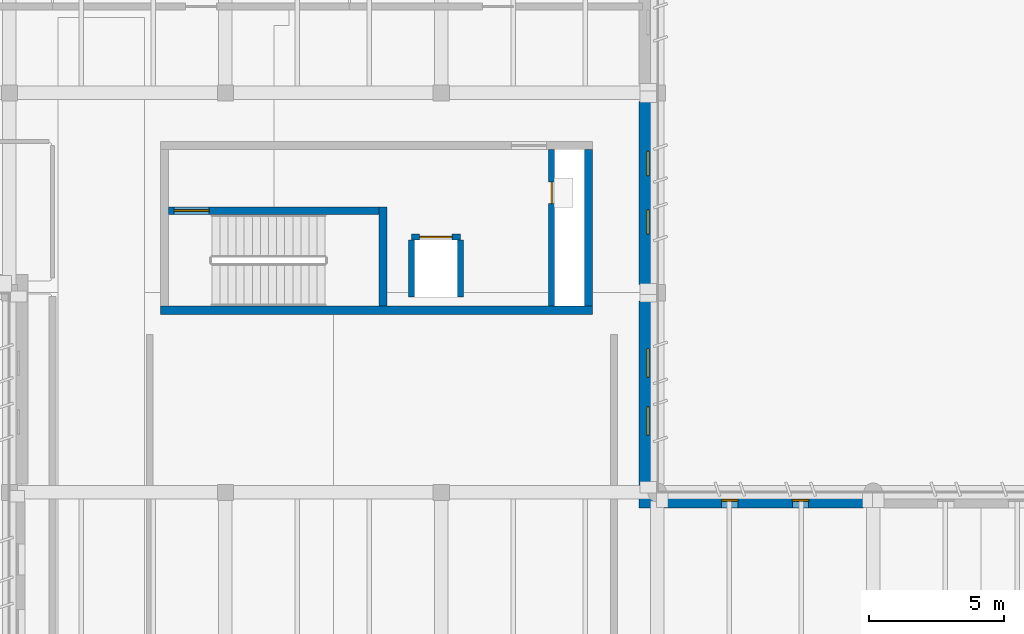
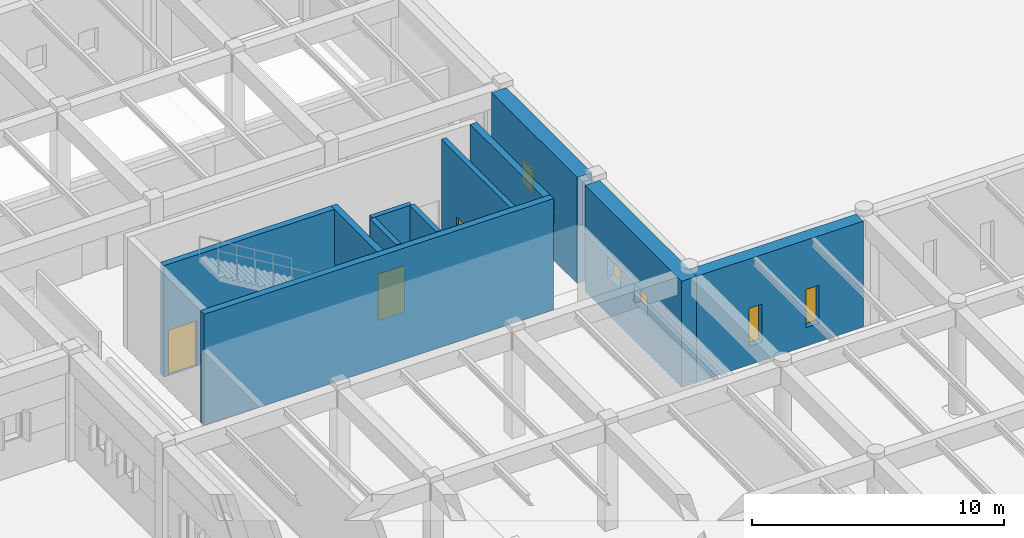
# One storey, part 22 of 56: 11 walls, 6 windows, 3 doors, 9 openings.
"""IFC4 building model written with IfcOpenShell, lengths in metres."""

from ifc_helpers import new_model, si_unit, direction, frame, frame_2d, origin, place, context, subcontext, project, spatial, rectangle, extrude, material, layer, layer_set, type_object, element, fill, save


model = new_model("IFC4")

# Units and contexts
model_context = context("Model", 3, precision=1e-05, world=origin(), true_north=direction((0.0, 1.0)))
body_context = subcontext(model_context, "Body", "Model", "MODEL_VIEW")
ifc_project = project(units=[si_unit("LENGTHUNIT", "METRE"), si_unit("AREAUNIT", "SQUARE_METRE"), si_unit("VOLUMEUNIT", "CUBIC_METRE"), si_unit("PLANEANGLEUNIT", "RADIAN"), si_unit("MASSUNIT", "GRAM", prefix="KILO")], contexts=[model_context])

# Site, building, storey
site_placement = place(None, origin())
site = spatial("IfcSite", under=ifc_project, at=site_placement, CompositionType="ELEMENT")
building_placement = place(site_placement, origin())
building = spatial("IfcBuilding", under=site, at=building_placement, Name="Valkorina Park Police Headquarters", CompositionType="ELEMENT")
storey_placement = place(building_placement, origin())
storey = spatial("IfcBuildingStorey", under=building, at=storey_placement, Name="L01", CompositionType="ELEMENT", Elevation=0.0)

# Wall, opening, door
ifc_material_1 = material(Name="Autoclaved aerated concrete masonry", Category="masonry")
ifc_layer_1 = layer(ifc_material_1, 0.219970703125)
ifc_layer_set_1 = layer_set([ifc_layer_1], Name="Autoclaved aerated concrete masonry")
wall_type_1 = type_object("IfcWallType", Name="WL-CHASE-220-EI60", PredefinedType="PLUMBINGWALL", material=ifc_layer_set_1)
wall_1_placement = place(storey_placement, frame((47.68994140625, 90.860107421875, 0.0), z_axis=(0.0, 0.0, 1.0), x_axis=(1.0, 0.0, 0.0)))
wall_1 = element("IfcWall", 1, at=wall_1_placement, inside=storey, type_object=wall_type_1, Name="Lift LF-06 L01 Shaft Front Wall", PredefinedType="PLUMBINGWALL", context=body_context, shape_type="SweptSolid", body=[
    extrude(rectangle(XDim=1.820068359375, YDim=0.219970703125, at=frame_2d((0.91015625, 0.0))), origin(), (0.0, 0.0, 1.0), 5.139892578125),
])
opening_1_placement = place(wall_1_placement, frame((0.31005859375, 0.0, 0.0)))
opening_1 = element("IfcOpeningElement", 2, at=opening_1_placement, cuts=wall_1, Name="Opening LD-03", PredefinedType="OPENING", context=body_context, shape_type="SweptSolid", body=[
    extrude(rectangle(XDim=1.199951171875, YDim=2.25, at=frame_2d((0.60009765625, 1.125))), frame((0.0, 0.1201171875, 0.0), z_axis=(0.0, -1.0, 0.0), x_axis=(1.0, 0.0, 0.0)), (0.0, 0.0, 1.0), 0.239990234375),
])
ifc_material_2 = material(Name="Stainless steel EN 1.4404", Category="steel")
ifc_layer_2 = layer(ifc_material_2, 0.050048828125)
ifc_layer_set_2 = layer_set([ifc_layer_2], Name="Stainless steel EN 1.4404")
door_type_1 = type_object("IfcDoorType", Name="DR-LIFT-CUST-1200x2250", OperationType="NOTDEFINED", PredefinedType="DOOR", material=ifc_layer_set_2)
door_1_placement = place(opening_1_placement, origin())
door_1 = element("IfcDoor", 3, at=door_1_placement, inside=storey, type_object=door_type_1, Name="Lift Landing Door LF-06-L01", OperationType="DOUBLE_DOOR_SLIDING", OverallHeight=2.25, OverallWidth=1.199951171875, PredefinedType="DOOR", context=body_context, shape_type="SweptSolid", body=[
    extrude(rectangle(XDim=1.199951171875, YDim=2.25, at=frame_2d((0.60009765625, 1.125))), frame((0.0, 0.02490234375, 0.0), z_axis=(0.0, -1.0, 0.0), x_axis=(1.0, 0.0, 0.0)), (0.0, 0.0, 1.0), 0.050048828125),
])
fill(opening_1, door_1)

# Walls
for number, where, z_axis, x_axis, name in (
    (4, (47.68994140625, 88.64990234375, 0.0), (0.0, 0.0, 1.0), (0.0, 1.0, 0.0), "Lift LF-06 L01 Shaft Side Wall W"),
    (5, (49.510009765625, 88.64990234375, 0.0), (0.0, 0.0, 1.0), (0.0, 1.0, 0.0), "Lift LF-06 L01 Shaft Side Wall E"),
):
    element("IfcWall", number, at=place(storey_placement, frame(where, z_axis=z_axis, x_axis=x_axis)), inside=storey, type_object=wall_type_1, Name=name, PredefinedType="PLUMBINGWALL", context=body_context, shape_type="SweptSolid", body=[
        extrude(rectangle(XDim=2.10009765625, YDim=0.219970703125, at=frame_2d((1.050048828125, 0.0))), origin(), (0.0, 0.0, 1.0), 5.139892578125),
    ])

# Wall, opening, door
wall_2_placement = place(storey_placement, frame((52.889892578125, 88.300048828125, 0.0), z_axis=(0.0, 0.0, 1.0), x_axis=(0.0, 1.0, 0.0)))
wall_2 = element("IfcWall", 6, at=wall_2_placement, inside=storey, type_object=wall_type_1, Name="Core C4 L01 Riser Shaft West Wall", PredefinedType="PLUMBINGWALL", context=body_context, shape_type="SweptSolid", body=[
    extrude(rectangle(XDim=5.800048828125, YDim=0.219970703125, at=frame_2d((2.89990234375, 0.0))), origin(), (0.0, 0.0, 1.0), 5.139892578125),
])
opening_2_placement = place(wall_2_placement, frame((3.800048828125, 0.0, 0.0)))
opening_2 = element("IfcOpeningElement", 7, at=opening_2_placement, cuts=wall_2, Name="Opening ID-01", PredefinedType="OPENING", context=body_context, shape_type="SweptSolid", body=[
    extrude(rectangle(XDim=0.800048828125, YDim=2.10009765625, at=frame_2d((0.39990234375, 1.050048828125))), frame((0.0, 0.1201171875, 0.0), z_axis=(0.0, -1.0, 0.0), x_axis=(1.0, 0.0, 0.0)), (0.0, 0.0, 1.0), 0.239990234375),
])
ifc_material_3 = material(Name="Galvanized steel door leaf", Category="steel")
ifc_layer_3 = layer(ifc_material_3, 0.050048828125)
ifc_layer_set_3 = layer_set([ifc_layer_3], Name="Galvanized steel door leaf")
door_type_2 = type_object("IfcDoorType", Name="DR-INT-RISER-800x2100", OperationType="NOTDEFINED", PredefinedType="DOOR", material=ifc_layer_set_3)
door_2_placement = place(opening_2_placement, origin())
door_2 = element("IfcDoor", 8, at=door_2_placement, inside=storey, type_object=door_type_2, Name="Riser Shaft Access Door C4-L01", OperationType="SINGLE_SWING_RIGHT", OverallHeight=2.10009765625, OverallWidth=0.800048828125, PredefinedType="DOOR", context=body_context, shape_type="SweptSolid", body=[
    extrude(rectangle(XDim=0.800048828125, YDim=2.10009765625, at=frame_2d((0.39990234375, 1.050048828125))), frame((0.0, 0.02490234375, 0.0), z_axis=(0.0, -1.0, 0.0), x_axis=(1.0, 0.0, 0.0)), (0.0, 0.0, 1.0), 0.050048828125),
])
fill(opening_2, door_2)

# Walls
ifc_material_4 = material(Name="Concrete C40/50", Category="concrete")
ifc_layer_4 = layer(ifc_material_4, 0.300048828125)
ifc_layer_set_4 = layer_set([ifc_layer_4], Name="Concrete C40/50")
wall_type_2 = type_object("IfcWallType", Name="WL-CORE-300-REI120", PredefinedType="SHEAR", material=ifc_layer_set_4)
wall_3_placement = place(storey_placement, frame((38.39990234375, 88.14990234375, 0.0), z_axis=(0.0, 0.0, 1.0), x_axis=(1.0, 0.0, 0.0)))
element("IfcWall", 9, at=wall_3_placement, inside=storey, type_object=wall_type_2, Name="Core C4 L01 Shear Wall S", PredefinedType="SHEAR", context=body_context, shape_type="SweptSolid", body=[
    extrude(rectangle(XDim=16.0, YDim=0.300048828125, at=frame_2d((8.0, 0.0))), origin(), (0.0, 0.0, 1.0), 5.39501953125),
])
wall_4_placement = place(storey_placement, frame((54.25, 88.300048828125, 0.0), z_axis=(0.0, 0.0, 1.0), x_axis=(0.0, 1.0, 0.0)))
element("IfcWall", 10, at=wall_4_placement, inside=storey, type_object=wall_type_2, Name="Core C4 L01 Shear Wall E", PredefinedType="SHEAR", context=body_context, shape_type="SweptSolid", body=[
    extrude(rectangle(XDim=5.800048828125, YDim=0.300048828125, at=frame_2d((2.89990234375, 0.0))), origin(), (0.0, 0.0, 1.0), 5.39501953125),
])

# Wall, openings, windows
ifc_material_5 = material(Name="Concrete C35/45", Category="concrete")
ifc_layer_5 = layer(ifc_material_5, 0.580078125)
ifc_layer_set_5 = layer_set([ifc_layer_5], Name="Concrete C35/45")
wall_type_3 = type_object("IfcWallType", Name="WL-EXT-BOARD-580", PredefinedType="STANDARD", material=ifc_layer_set_5)
wall_5_placement = place(storey_placement, frame((56.800048828125, 81.110107421875, 0.0), z_axis=(0.0, 0.0, 1.0), x_axis=(1.0, 0.0, 0.0)))
wall_5 = element("IfcWall", 11, at=wall_5_placement, inside=storey, type_object=wall_type_3, Name="L01 Architectural Concrete Exterior Wall 0035", PredefinedType="STANDARD", context=body_context, shape_type="SweptSolid", body=[
    extrude(rectangle(XDim=7.639892578125, YDim=0.580078125, at=frame_2d((3.81982421875, 0.0))), origin(), (0.0, 0.0, 1.0), 5.139892578125),
])
opening_3_placement = place(wall_5_placement, frame((2.3896484375, 0.0, 0.89990234375)))
opening_3 = element("IfcOpeningElement", 12, at=opening_3_placement, cuts=wall_5, Name="Opening WN-04", PredefinedType="OPENING", context=body_context, shape_type="SweptSolid", body=[
    extrude(rectangle(XDim=0.60009765625, YDim=1.85009765625, at=frame_2d((0.300048828125, 0.925048828125))), frame((0.0, 0.300048828125, 0.0), z_axis=(0.0, -1.0, 0.0), x_axis=(1.0, 0.0, 0.0)), (0.0, 0.0, 1.0), 0.60009765625),
])
opening_4_placement = place(wall_5_placement, frame((5.010498046875, 0.0, 0.89990234375)))
opening_4 = element("IfcOpeningElement", 13, at=opening_4_placement, cuts=wall_5, Name="Opening WN-04", PredefinedType="OPENING", context=body_context, shape_type="SweptSolid", body=[
    extrude(rectangle(XDim=0.60009765625, YDim=1.85009765625, at=frame_2d((0.300048828125, 0.925048828125))), frame((0.0, 0.300048828125, 0.0), z_axis=(0.0, -1.0, 0.0), x_axis=(1.0, 0.0, 0.0)), (0.0, 0.0, 1.0), 0.60009765625),
])
ifc_material_6 = material(Name="Triple low-E insulated glazing", Category="glass")
ifc_layer_6 = layer(ifc_material_6, 0.06005859375)
ifc_layer_set_6 = layer_set([ifc_layer_6], Name="Triple low-E insulated glazing")
window_type_1 = type_object("IfcWindowType", Name="WN-SLOT-600x1850", PartitioningType="SINGLE_PANEL", PredefinedType="WINDOW", material=ifc_layer_set_6)
window_1_placement = place(opening_3_placement, origin())
window_1 = element("IfcWindow", 14, at=window_1_placement, inside=storey, type_object=window_type_1, Name="Window L01-0059", OverallHeight=1.85009765625, OverallWidth=0.60009765625, PartitioningType="SINGLE_PANEL", PredefinedType="WINDOW", context=body_context, shape_type="SweptSolid", body=[
    extrude(rectangle(XDim=0.60009765625, YDim=1.85009765625, at=frame_2d((0.300048828125, 0.925048828125))), frame((0.0, 0.030029296875, 0.0), z_axis=(0.0, -1.0, 0.0), x_axis=(1.0, 0.0, 0.0)), (0.0, 0.0, 1.0), 0.06005859375),
])
fill(opening_3, window_1)
window_2_placement = place(opening_4_placement, origin())
window_2 = element("IfcWindow", 15, at=window_2_placement, inside=storey, type_object=window_type_1, Name="Window L01-0060", OverallHeight=1.85009765625, OverallWidth=0.60009765625, PartitioningType="SINGLE_PANEL", PredefinedType="WINDOW", context=body_context, shape_type="SweptSolid", body=[
    extrude(rectangle(XDim=0.60009765625, YDim=1.85009765625, at=frame_2d((0.300048828125, 0.925048828125))), frame((0.0, 0.030029296875, 0.0), z_axis=(0.0, -1.0, 0.0), x_axis=(1.0, 0.0, 0.0)), (0.0, 0.0, 1.0), 0.06005859375),
])
fill(opening_4, window_2)

ifc_material_7 = material(Name="Precast concrete C40/50", Category="concrete")
ifc_layer_7 = layer(ifc_material_7, 0.679931640625)
ifc_layer_set_7 = layer_set([ifc_layer_7], Name="Precast concrete C40/50")
wall_type_4 = type_object("IfcWallType", Name="WL-EXT-DOLOMITE-680", PredefinedType="SOLIDWALL", material=ifc_layer_set_7)
wall_6_placement = place(storey_placement, frame((56.4599609375, 95.889892578125, 0.0), z_axis=(0.0, 0.0, 1.0), x_axis=(0.0, -1.0, 0.0)))
wall_6 = element("IfcWall", 16, at=wall_6_placement, inside=storey, type_object=wall_type_4, Name="L01 Architectural Concrete Exterior Wall 0033", PredefinedType="SOLIDWALL", context=body_context, shape_type="SweptSolid", body=[
    extrude(rectangle(XDim=6.77978515625, YDim=0.679931640625, at=frame_2d((3.389892578125, 0.0))), origin(), (0.0, 0.0, 1.0), 5.139892578125),
])
opening_5_placement = place(wall_6_placement, frame((1.855224609375, 0.0, 1.800048828125)))
opening_5 = element("IfcOpeningElement", 17, at=opening_5_placement, cuts=wall_6, Name="Opening WN-14", PredefinedType="OPENING", context=body_context, shape_type="SweptSolid", body=[
    extrude(rectangle(XDim=0.89990234375, YDim=1.14990234375, at=frame_2d((0.449951171875, 0.574951171875))), frame((0.0, 0.35009765625, 0.0), z_axis=(0.0, -1.0, 0.0), x_axis=(1.0, 0.0, 0.0)), (0.0, 0.0, 1.0), 0.699951171875),
])
opening_6_placement = place(wall_6_placement, frame((4.02490234375, 0.0, 1.800048828125)))
opening_6 = element("IfcOpeningElement", 18, at=opening_6_placement, cuts=wall_6, Name="Opening WN-14", PredefinedType="OPENING", context=body_context, shape_type="SweptSolid", body=[
    extrude(rectangle(XDim=0.89990234375, YDim=1.14990234375, at=frame_2d((0.449951171875, 0.574951171875))), frame((0.0, 0.35009765625, 0.0), z_axis=(0.0, -1.0, 0.0), x_axis=(1.0, 0.0, 0.0)), (0.0, 0.0, 1.0), 0.699951171875),
])
ifc_material_8 = material(Name="Ballistic laminated glazing BR4-NS", Category="glass")
ifc_layer_8 = layer(ifc_material_8, 0.06005859375)
ifc_layer_set_8 = layer_set([ifc_layer_8], Name="Ballistic laminated glazing BR4-NS")
window_type_2 = type_object("IfcWindowType", Name="WN-CUST-900x1150", PartitioningType="SINGLE_PANEL", PredefinedType="WINDOW", material=ifc_layer_set_8)
window_3_placement = place(opening_5_placement, origin())
window_3 = element("IfcWindow", 19, at=window_3_placement, inside=storey, type_object=window_type_2, Name="Window L01-0055", OverallHeight=1.14990234375, OverallWidth=0.89990234375, PartitioningType="SINGLE_PANEL", PredefinedType="WINDOW", context=body_context, shape_type="SweptSolid", body=[
    extrude(rectangle(XDim=0.89990234375, YDim=1.14990234375, at=frame_2d((0.449951171875, 0.574951171875))), frame((0.0, 0.030029296875, 0.0), z_axis=(0.0, -1.0, 0.0), x_axis=(1.0, 0.0, 0.0)), (0.0, 0.0, 1.0), 0.06005859375),
])
fill(opening_5, window_3)
window_4_placement = place(opening_6_placement, origin())
window_4 = element("IfcWindow", 20, at=window_4_placement, inside=storey, type_object=window_type_2, Name="Window L01-0056", OverallHeight=1.14990234375, OverallWidth=0.89990234375, PartitioningType="SINGLE_PANEL", PredefinedType="WINDOW", context=body_context, shape_type="SweptSolid", body=[
    extrude(rectangle(XDim=0.89990234375, YDim=1.14990234375, at=frame_2d((0.449951171875, 0.574951171875))), frame((0.0, 0.030029296875, 0.0), z_axis=(0.0, -1.0, 0.0), x_axis=(1.0, 0.0, 0.0)), (0.0, 0.0, 1.0), 0.06005859375),
])
fill(opening_6, window_4)

wall_7_placement = place(storey_placement, frame((56.4599609375, 88.489990234375, 0.0), z_axis=(0.0, 0.0, 1.0), x_axis=(0.0, -1.0, 0.0)))
wall_7 = element("IfcWall", 21, at=wall_7_placement, inside=storey, type_object=wall_type_4, Name="L01 Architectural Concrete Exterior Wall 0034", PredefinedType="SOLIDWALL", context=body_context, shape_type="SweptSolid", body=[
    extrude(rectangle(XDim=7.669921875, YDim=0.679931640625, at=frame_2d((3.8349609375, 0.0))), origin(), (0.0, 0.0, 1.0), 5.139892578125),
])
opening_7_placement = place(wall_7_placement, frame((1.76318359375, 0.0, 1.800048828125)))
opening_7 = element("IfcOpeningElement", 22, at=opening_7_placement, cuts=wall_7, Name="Opening WN-15", PredefinedType="OPENING", context=body_context, shape_type="SweptSolid", body=[
    extrude(rectangle(XDim=1.050048828125, YDim=0.949951171875, at=frame_2d((0.52490234375, 0.47509765625))), frame((0.0, 0.35009765625, 0.0), z_axis=(0.0, -1.0, 0.0), x_axis=(1.0, 0.0, 0.0)), (0.0, 0.0, 1.0), 0.699951171875),
])
opening_8_placement = place(wall_7_placement, frame((3.916748046875, 0.0, 1.800048828125)))
opening_8 = element("IfcOpeningElement", 23, at=opening_8_placement, cuts=wall_7, Name="Opening WN-15", PredefinedType="OPENING", context=body_context, shape_type="SweptSolid", body=[
    extrude(rectangle(XDim=1.050048828125, YDim=0.949951171875, at=frame_2d((0.52490234375, 0.47509765625))), frame((0.0, 0.35009765625, 0.0), z_axis=(0.0, -1.0, 0.0), x_axis=(1.0, 0.0, 0.0)), (0.0, 0.0, 1.0), 0.699951171875),
])
ifc_layer_9 = layer(ifc_material_8, 0.06005859375)
ifc_layer_set_9 = layer_set([ifc_layer_9], Name="Ballistic laminated glazing BR4-NS")
window_type_3 = type_object("IfcWindowType", Name="WN-CUST-1050x950", PartitioningType="SINGLE_PANEL", PredefinedType="WINDOW", material=ifc_layer_set_9)
window_5_placement = place(opening_7_placement, origin())
window_5 = element("IfcWindow", 24, at=window_5_placement, inside=storey, type_object=window_type_3, Name="Window L01-0057", OverallHeight=0.949951171875, OverallWidth=1.050048828125, PartitioningType="SINGLE_PANEL", PredefinedType="WINDOW", context=body_context, shape_type="SweptSolid", body=[
    extrude(rectangle(XDim=1.050048828125, YDim=0.949951171875, at=frame_2d((0.52490234375, 0.47509765625))), frame((0.0, 0.030029296875, 0.0), z_axis=(0.0, -1.0, 0.0), x_axis=(1.0, 0.0, 0.0)), (0.0, 0.0, 1.0), 0.06005859375),
])
fill(opening_7, window_5)
window_6_placement = place(opening_8_placement, origin())
window_6 = element("IfcWindow", 25, at=window_6_placement, inside=storey, type_object=window_type_3, Name="Window L01-0058", OverallHeight=0.949951171875, OverallWidth=1.050048828125, PartitioningType="SINGLE_PANEL", PredefinedType="WINDOW", context=body_context, shape_type="SweptSolid", body=[
    extrude(rectangle(XDim=1.050048828125, YDim=0.949951171875, at=frame_2d((0.52490234375, 0.47509765625))), frame((0.0, 0.030029296875, 0.0), z_axis=(0.0, -1.0, 0.0), x_axis=(1.0, 0.0, 0.0)), (0.0, 0.0, 1.0), 0.06005859375),
])
fill(opening_8, window_6)

# Wall
ifc_layer_10 = layer(ifc_material_4, 0.280029296875)
ifc_layer_set_10 = layer_set([ifc_layer_10], Name="Concrete C40/50")
wall_type_5 = type_object("IfcWallType", Name="WL-STAIR-280-REI120", PredefinedType="SHEAR", material=ifc_layer_set_10)
wall_8_placement = place(storey_placement, frame((46.639892578125, 88.300048828125, 0.0), z_axis=(0.0, 0.0, 1.0), x_axis=(0.0, 1.0, 0.0)))
element("IfcWall", 26, at=wall_8_placement, inside=storey, type_object=wall_type_5, Name="Core C4 L01 Shear Wall DIV", PredefinedType="SHEAR", context=body_context, shape_type="SweptSolid", body=[
    extrude(rectangle(XDim=3.679931640625, YDim=0.280029296875, at=frame_2d((1.83984375, 0.0))), origin(), (0.0, 0.0, 1.0), 5.39501953125),
])

# Wall, opening, door
wall_9_placement = place(storey_placement, frame((38.699951171875, 91.840087890625, 0.0), z_axis=(0.0, 0.0, 1.0), x_axis=(1.0, 0.0, 0.0)))
wall_9 = element("IfcWall", 27, at=wall_9_placement, inside=storey, type_object=wall_type_5, Name="Core C4 L01 Shear Wall SIDE", PredefinedType="SHEAR", context=body_context, shape_type="SweptSolid", body=[
    extrude(rectangle(XDim=7.800048828125, YDim=0.280029296875, at=frame_2d((3.89990234375, 0.0))), origin(), (0.0, 0.0, 1.0), 5.39501953125),
])
opening_9_placement = place(wall_9_placement, frame((0.199951171875, 0.0, 0.0)))
opening_9 = element("IfcOpeningElement", 28, at=opening_9_placement, cuts=wall_9, Name="Opening FD-03", PredefinedType="OPENING", context=body_context, shape_type="SweptSolid", body=[
    extrude(rectangle(XDim=1.300048828125, YDim=2.199951171875, at=frame_2d((0.64990234375, 1.10009765625))), frame((0.0, 0.14990234375, 0.0), z_axis=(0.0, -1.0, 0.0), x_axis=(1.0, 0.0, 0.0)), (0.0, 0.0, 1.0), 0.300048828125),
])
ifc_layer_11 = layer(ifc_material_3, 0.050048828125)
ifc_layer_set_11 = layer_set([ifc_layer_11], Name="Galvanized steel door leaf")
door_type_3 = type_object("IfcDoorType", Name="DR-FIRE-STAIR-1300x2200", OperationType="NOTDEFINED", PredefinedType="DOOR", material=ifc_layer_set_11)
door_3_placement = place(opening_9_placement, origin())
door_3 = element("IfcDoor", 29, at=door_3_placement, inside=storey, type_object=door_type_3, Name="Door D-L01-C131 (ST-04 Stair Fire Door)", OperationType="SINGLE_SWING_RIGHT", OverallHeight=2.199951171875, OverallWidth=1.300048828125, PredefinedType="DOOR", context=body_context, shape_type="SweptSolid", body=[
    extrude(rectangle(XDim=1.300048828125, YDim=2.199951171875, at=frame_2d((0.64990234375, 1.10009765625))), frame((0.0, 0.02490234375, 0.0), z_axis=(0.0, -1.0, 0.0), x_axis=(1.0, 0.0, 0.0)), (0.0, 0.0, 1.0), 0.050048828125),
])
fill(opening_9, door_3)

save(model, "model.ifc")
